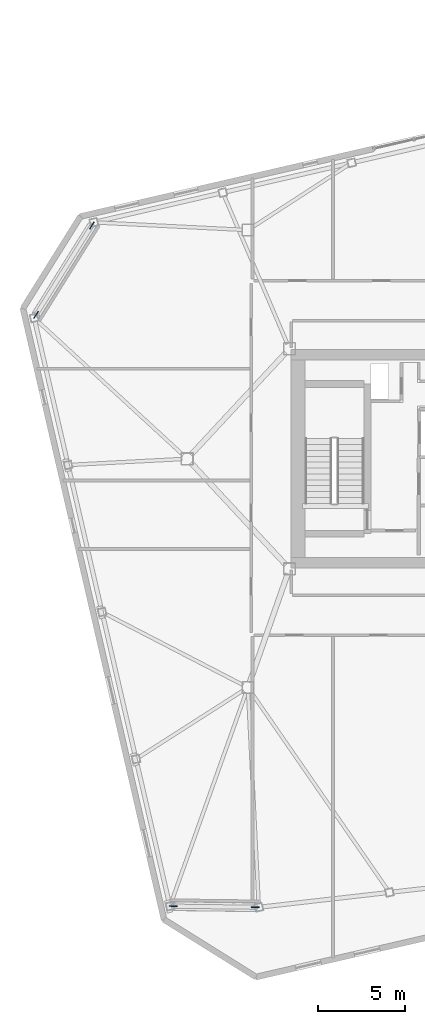
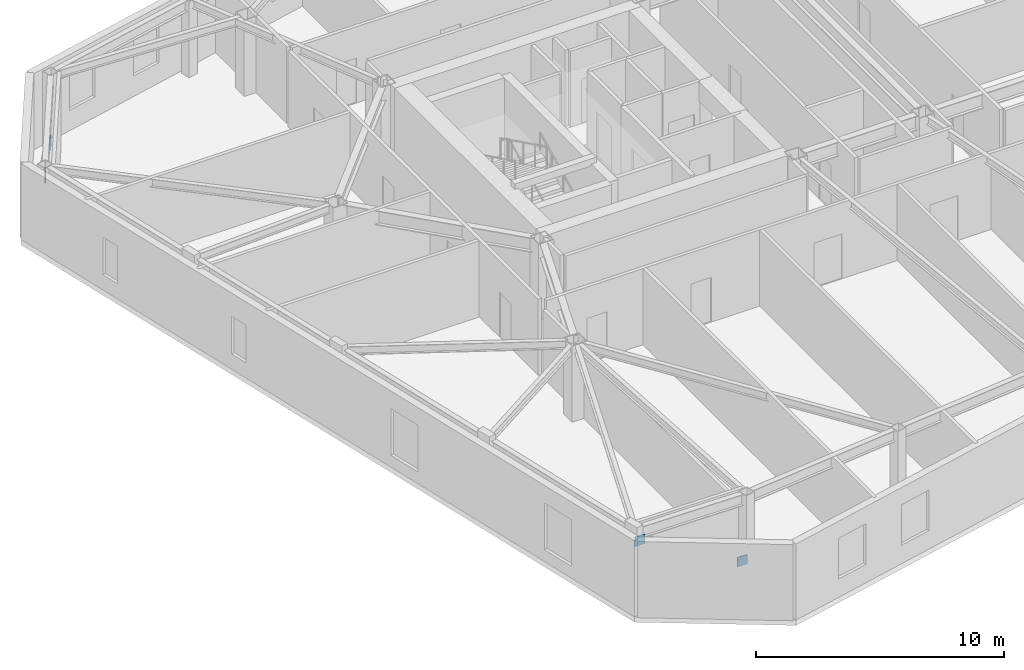
# One storey, part 21 of 23: 4 discrete accessories.
"""IFC4 building model written with IfcOpenShell, lengths in metres."""

from ifc_helpers import new_model, si_unit, direction, frame, origin, origin_2d, place, context, subcontext, project, spatial, rectangle, extrude, material, type_object, element, save


model = new_model("IFC4")

# Units and contexts
model_context = context("Model", 3, precision=1e-05, world=origin(), true_north=direction((0.0, 1.0)))
body_context = subcontext(model_context, "Body", "Model", "MODEL_VIEW")
ifc_project = project(units=[si_unit("LENGTHUNIT", "METRE"), si_unit("AREAUNIT", "SQUARE_METRE"), si_unit("VOLUMEUNIT", "CUBIC_METRE"), si_unit("PLANEANGLEUNIT", "RADIAN"), si_unit("MASSUNIT", "GRAM", prefix="KILO")], contexts=[model_context])

# Site, building, storey
site_placement = place(None, origin())
site = spatial("IfcSite", under=ifc_project, at=site_placement, CompositionType="ELEMENT")
building_placement = place(site_placement, origin())
building = spatial("IfcBuilding", under=site, at=building_placement, Name="Tavrogorsk Clinical Tower", CompositionType="ELEMENT")
storey_placement = place(building_placement, frame((0.0, 0.0, 301.0)))
storey = spatial("IfcBuildingStorey", under=building, at=storey_placement, Name="L70", CompositionType="ELEMENT", Elevation=301.0)

# Discrete accessories
ifc_material = material(Name="Structural steel S440", Category="steel")
discrete_accessory_type = type_object("IfcDiscreteAccessoryType", Name="GussetPlateBracket_25", PredefinedType="BRACKET", material=ifc_material)
for number, where, z_axis, x_axis, name in (
    (1, (-33.501708984375, 13.4638671875, 0.163330078125), (0.0, 0.0, 1.0), (-0.529919264233, -0.848048096156, 0.0), "L70 Brace Gusset Plate EXOCRN-L70-3-A"),
    (2, (-36.72265625, 8.30908203125, 2.81689453125), (0.0, 0.0, 1.0), (-0.529919264233, -0.848048096156, 0.0), "L70 Brace Gusset Plate EXOCRN-L70-3-B"),
    (3, (-24.07080078125, -25.883056640625, 0.182861328125), (0.0, 0.0, 1.0), (-0.999914327574, 0.013089595571, 0.0), "L70 Brace Gusset Plate EXOCRN-L70-4-A"),
    (4, (-28.794677734375, -25.821533203125, 2.797119140625), (0.0, 0.0, 1.0), (-0.999914327574, 0.013089595571, 0.0), "L70 Brace Gusset Plate EXOCRN-L70-4-B"),
):
    element("IfcDiscreteAccessory", number, at=place(storey_placement, frame(where, z_axis=z_axis, x_axis=x_axis)), inside=storey, type_object=discrete_accessory_type, Name=name, PredefinedType="BRACKET", context=body_context, shape_type="SweptSolid", body=[
        extrude(rectangle(XDim=0.4599609375, YDim=0.0400390625, at=origin_2d()), origin(), (0.0, 0.0, 1.0), 0.4599609375),
    ])

save(model, "model.ifc")
